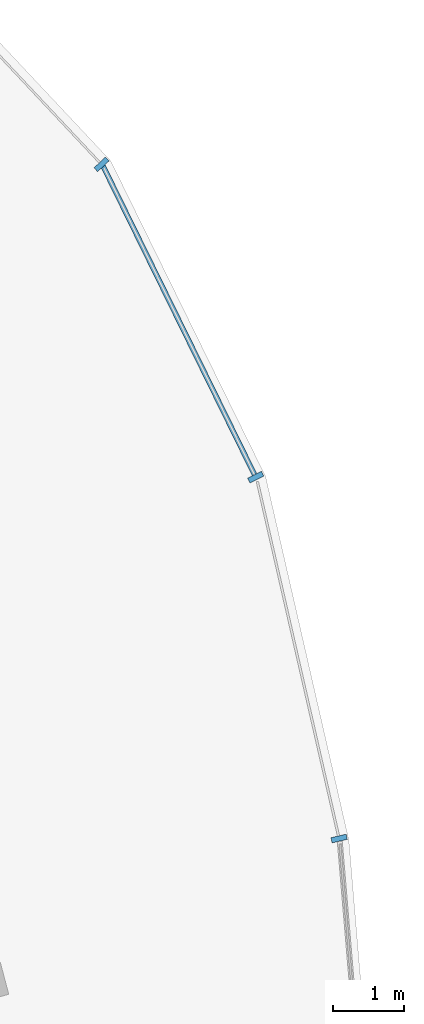
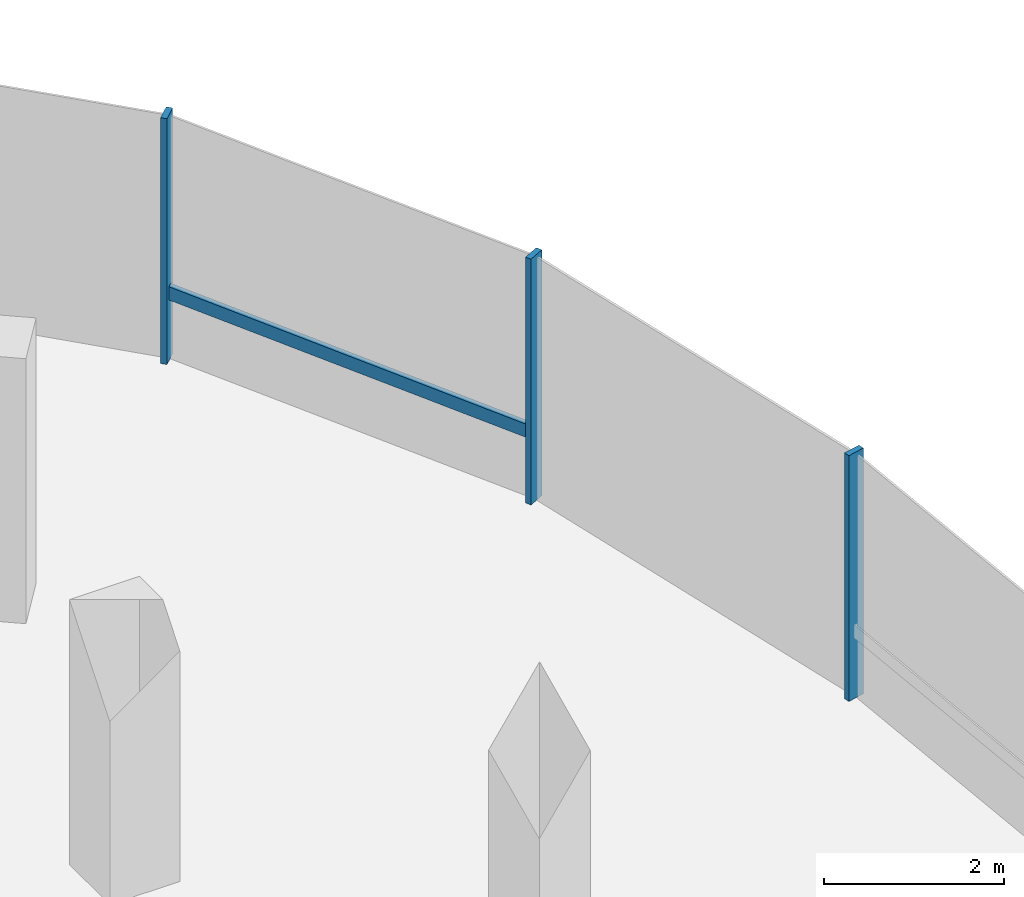
# One storey, part 11 of 25: 4 members, 1 element without a shape of its own.
"""IFC4 building model written with IfcOpenShell, lengths in metres."""

from ifc_helpers import new_model, si_unit, direction, frame, origin, origin_2d, place, context, subcontext, project, spatial, rectangle, extrude, material, material_profile, profile_set, type_object, element, aggregate, save


model = new_model("IFC4")

# Units and contexts
model_context = context("Model", 3, precision=1e-05, world=origin(), true_north=direction((0.0, 1.0)))
body_context = subcontext(model_context, "Body", "Model", "MODEL_VIEW")
ifc_project = project(units=[si_unit("LENGTHUNIT", "METRE"), si_unit("AREAUNIT", "SQUARE_METRE"), si_unit("VOLUMEUNIT", "CUBIC_METRE"), si_unit("PLANEANGLEUNIT", "RADIAN"), si_unit("MASSUNIT", "GRAM", prefix="KILO"), si_unit("THERMODYNAMICTEMPERATUREUNIT", "KELVIN"), si_unit("POWERUNIT", "WATT")], contexts=[model_context])

# Site, building, storey
site_placement = place(None, origin())
site = spatial("IfcSite", under=ifc_project, at=site_placement, CompositionType="ELEMENT")
building_placement = place(site_placement, origin())
building = spatial("IfcBuilding", under=site, at=building_placement, Name="Cundina Bronze Exchange", CompositionType="ELEMENT")
storey_placement = place(building_placement, frame((0.0, 0.0, 239.60009765625)))
storey = spatial("IfcBuildingStorey", under=building, at=storey_placement, Name="L63", CompositionType="ELEMENT", Elevation=239.60009765625)

# Curtain wall, members
ifc_material = material(Name="Anodised Bronze Aluminium 6063-T6", Category="aluminium")
curtain_wall_type = type_object("IfcCurtainWallType", Name="CWS-SKG-BRG", PredefinedType="NOTDEFINED", material=ifc_material)
curtain_wall_placement = place(storey_placement, origin())
curtain_wall = element("IfcCurtainWall", 1, at=curtain_wall_placement, inside=storey, type_object=curtain_wall_type, Name="L63 CW-06 Curtain Wall Run CWR-L63-E1", PredefinedType="NOTDEFINED")
ifc_material_profile_1 = material_profile(ifc_material, rectangle(XDim=0.074951171875, YDim=0.219970703125, at=origin_2d()), Name="AL75X220", Category="aluminium")
ifc_profile_set_1 = profile_set([ifc_material_profile_1], Name="Anodised Bronze Aluminium 6063-T6")
member_type_1 = type_object("IfcMemberType", Name="CWM-MUL-220", PredefinedType="MULLION", material=ifc_profile_set_1)
member_1_placement = place(storey_placement, frame((50.544677734375, 8.4111328125, 0.0), z_axis=(0.0, 0.0, 1.0), x_axis=(-0.223250116011, 0.974761194191, 0.0)))
member_1 = element("IfcMember", 2, at=member_1_placement, type_object=member_type_1, Name="CW-06 Mullion 2", PredefinedType="MULLION", context=body_context, shape_type="SweptSolid", body=[
    extrude(rectangle(XDim=0.074951171875, YDim=0.219970703125, at=origin_2d()), origin(), (0.0, 0.0, 1.0), 3.33984375),
])
member_2_placement = place(storey_placement, frame((49.369140625, 13.50390625, 0.0), z_axis=(0.0, 0.0, 1.0), x_axis=(-0.440566004113, 0.897720221461, 0.0)))
member_2 = element("IfcMember", 3, at=member_2_placement, type_object=member_type_1, Name="CW-06 Mullion 3", PredefinedType="MULLION", context=body_context, shape_type="SweptSolid", body=[
    extrude(rectangle(XDim=0.074951171875, YDim=0.219970703125, at=origin_2d()), origin(), (0.0, 0.0, 1.0), 3.33984375),
])
member_3_placement = place(storey_placement, frame((47.1962890625, 17.910400390625, 0.0), z_axis=(0.0, 0.0, 1.0), x_axis=(-0.684292606175, 0.729207535023, 0.0)))
member_3 = element("IfcMember", 4, at=member_3_placement, type_object=member_type_1, Name="CW-06 Mullion 4", PredefinedType="MULLION", context=body_context, shape_type="SweptSolid", body=[
    extrude(rectangle(XDim=0.074951171875, YDim=0.219970703125, at=origin_2d()), origin(), (0.0, 0.0, 1.0), 3.33984375),
])
ifc_material_profile_2 = material_profile(ifc_material, rectangle(XDim=0.070068359375, YDim=0.179931640625, at=origin_2d()), Name="AL70X180", Category="aluminium")
ifc_profile_set_2 = profile_set([ifc_material_profile_2], Name="Anodised Bronze Aluminium 6063-T6")
member_type_2 = type_object("IfcMemberType", Name="CWM-TRN-180", PredefinedType="USERDEFINED", material=ifc_profile_set_2)
member_4_placement = place(storey_placement, frame((49.35107421875, 13.541015625, 0.919921875), z_axis=(-0.440554408939, 0.897725911826, 0.0), x_axis=(-0.897725911826, -0.440554408939, 0.0)))
member_4 = element("IfcMember", 5, at=member_4_placement, type_object=member_type_2, Name="CW-06 Spandrel Transom 3", ObjectType="TRANSOM", PredefinedType="USERDEFINED", context=body_context, shape_type="SweptSolid", body=[
    extrude(rectangle(XDim=0.070068359375, YDim=0.179931640625, at=origin_2d()), origin(), (0.0, 0.0, 1.0), 4.848388671875),
])
aggregate(curtain_wall, [member_1, member_2, member_4, member_3])

save(model, "model.ifc")
